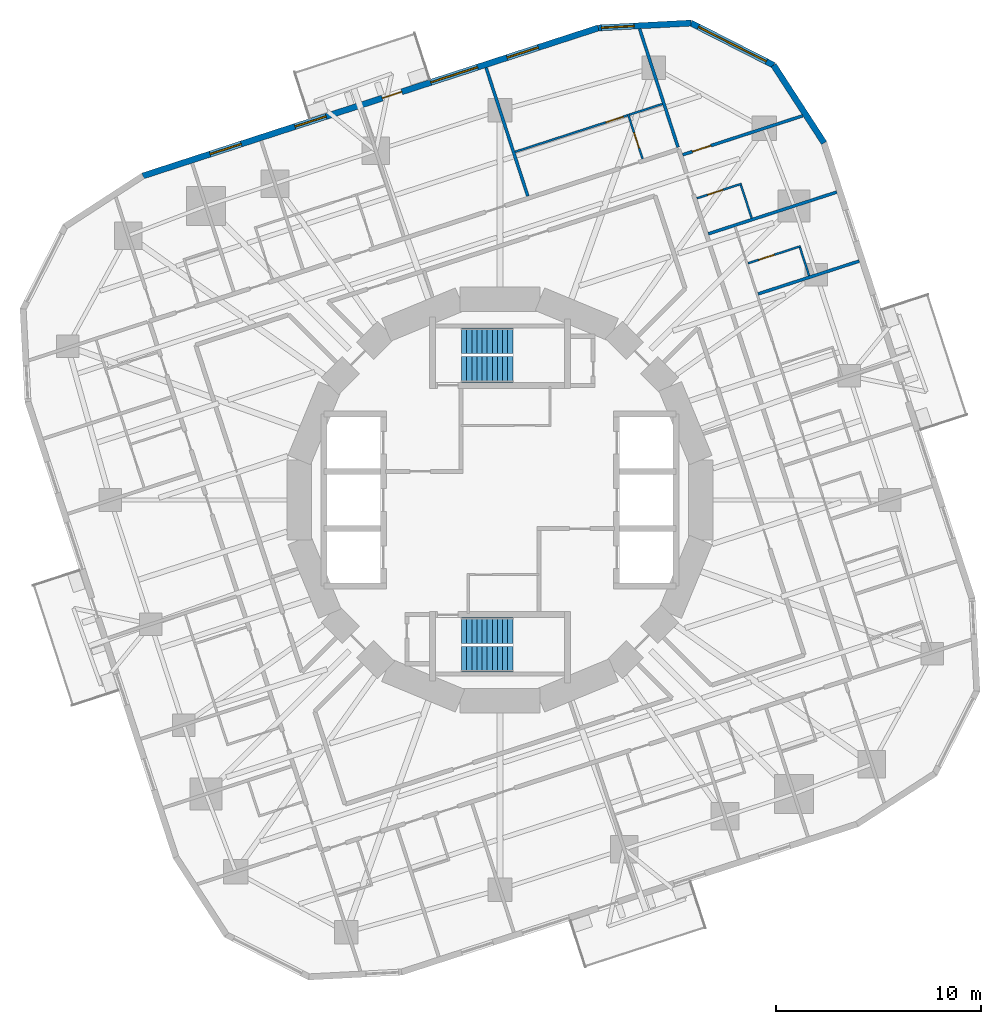
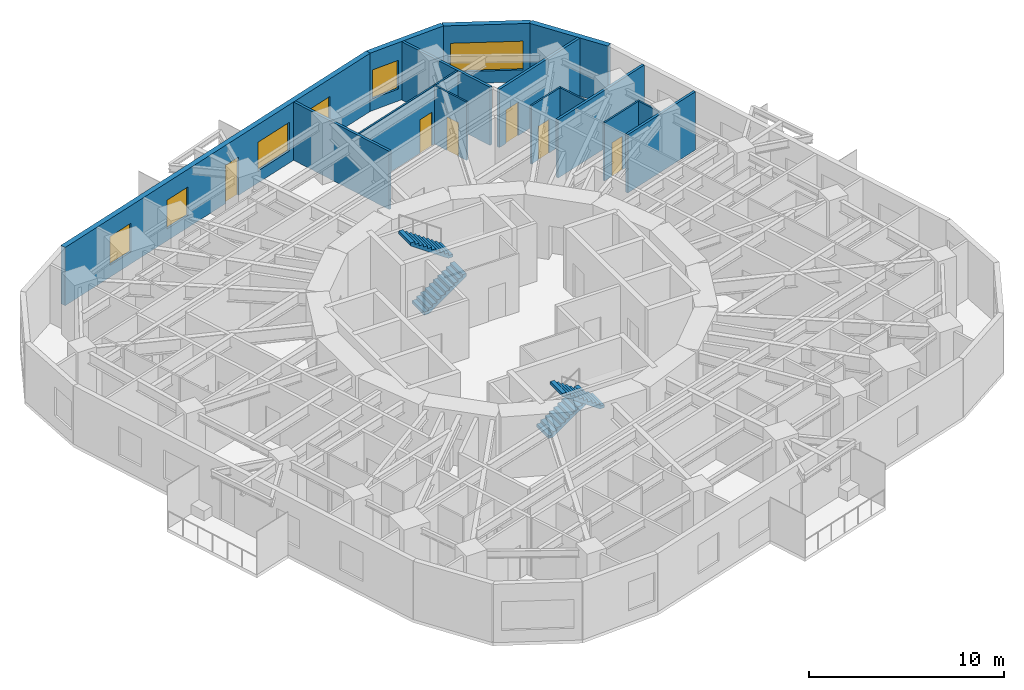
# One storey, part 10 of 12: 16 walls, 6 doors, 6 windows, 4 stair flights, 12 openings, 2 elements without a shape of their own.
"""IFC4 building model written with IfcOpenShell, lengths in metres."""

from ifc_helpers import new_model, si_unit, direction, frame, frame_2d, origin, place, context, subcontext, project, spatial, polyline, rectangle, outline, extrude, material, layer, layer_set, type_object, element, fill, aggregate, save


model = new_model("IFC4")

# Units and contexts
model_context = context("Model", 3, precision=1e-05, world=origin(), true_north=direction((0.0, 1.0)))
body_context = subcontext(model_context, "Body", "Model", "MODEL_VIEW")
ifc_project = project(units=[si_unit("LENGTHUNIT", "METRE"), si_unit("AREAUNIT", "SQUARE_METRE"), si_unit("VOLUMEUNIT", "CUBIC_METRE"), si_unit("PLANEANGLEUNIT", "RADIAN"), si_unit("MASSUNIT", "GRAM", prefix="KILO")], contexts=[model_context])

# Site, building, storey
site_placement = place(None, origin())
site = spatial("IfcSite", under=ifc_project, at=site_placement, CompositionType="ELEMENT")
building_placement = place(site_placement, origin())
building = spatial("IfcBuilding", under=site, at=building_placement, Name="Nakasero Lantern House", CompositionType="ELEMENT")
storey_placement = place(building_placement, frame((0.0, 0.0, 145.64990234375)))
storey = spatial("IfcBuildingStorey", under=building, at=storey_placement, Name="L35", CompositionType="ELEMENT", Elevation=145.64990234375)

# Wall, opening, door
ifc_material_1 = material(Name="Blockwork", Category="masonry")
ifc_layer_1 = layer(ifc_material_1, 0.10009765625)
ifc_layer_set_1 = layer_set([ifc_layer_1], Name="En-suite wall 100")
wall_type_1 = type_object("IfcWallType", Name="En-suite wall 100", PredefinedType="PARTITIONING", material=ifc_layer_set_1)
wall_1_placement = place(storey_placement, frame((12.11962890625, 11.564208984375, 0.0), z_axis=(0.0, 0.0, 1.0), x_axis=(0.951043371037, 0.309057448393, 0.0)))
wall_1 = element("IfcWall", 1, at=wall_1_placement, inside=storey, type_object=wall_type_1, Name="En-suite wall L35 ES0-05", PredefinedType="PARTITIONING", context=body_context, shape_type="SweptSolid", body=[
    extrude(rectangle(XDim=2.699951171875, YDim=0.10009765625, at=frame_2d((1.35009765625, 0.0))), origin(), (0.0, 0.0, 1.0), 3.650146484375),
])
opening_1_placement = place(wall_1_placement, frame((0.550048828125, 0.0, 0.0)))
opening_1 = element("IfcOpeningElement", 2, at=opening_1_placement, cuts=wall_1, Name="Opening D02", PredefinedType="OPENING", context=body_context, shape_type="SweptSolid", body=[
    extrude(rectangle(XDim=0.800048828125, YDim=2.10009765625, at=frame_2d((0.39990234375, 1.050048828125))), frame((0.0, 0.070068359375, 0.0), z_axis=(0.0, -1.0, 0.0), x_axis=(1.0, 0.0, 0.0)), (0.0, 0.0, 1.0), 0.14013671875),
])
ifc_material_2 = material(Name="Timber C24", Category="wood")
door_type_1 = type_object("IfcDoorType", Name="En-suite door 800", OperationType="SINGLE_SWING_RIGHT", PredefinedType="DOOR", material=ifc_material_2)
door_1_placement = place(opening_1_placement, origin())
door_1 = element("IfcDoor", 3, at=door_1_placement, inside=storey, type_object=door_type_1, Name="Door L35 DE0-05", OperationType="SINGLE_SWING_LEFT", OverallHeight=2.10009765625, OverallWidth=0.800048828125, PredefinedType="DOOR", context=body_context, shape_type="SweptSolid", body=[
    extrude(rectangle(XDim=0.800048828125, YDim=2.10009765625, at=frame_2d((0.39990234375, 1.050048828125))), frame((0.0, 0.02490234375, 0.0), z_axis=(0.0, -1.0, 0.0), x_axis=(1.0, 0.0, 0.0)), (0.0, 0.0, 1.0), 0.050048828125),
])
fill(opening_1, door_1)

# Wall
wall_2_placement = place(storey_placement, frame((15.103515625, 10.95654296875, 0.0), z_axis=(0.0, 0.0, 1.0), x_axis=(-0.309097492581, 0.951030357076, 0.0)))
element("IfcWall", 4, at=wall_2_placement, inside=storey, type_object=wall_type_1, Name="En-suite wall L35 EE0-05", PredefinedType="PARTITIONING", context=body_context, shape_type="SweptSolid", body=[
    extrude(rectangle(XDim=1.4501953125, YDim=0.10009765625, at=frame_2d((0.72509765625, 0.0))), origin(), (0.0, 0.0, 1.0), 3.650146484375),
])

# Wall, opening, door
wall_3_placement = place(storey_placement, frame((9.61572265625, 14.740234375, 0.0), z_axis=(0.0, 0.0, 1.0), x_axis=(0.951055129775, 0.309021261611, 0.0)))
wall_3 = element("IfcWall", 5, at=wall_3_placement, inside=storey, type_object=wall_type_1, Name="En-suite wall L35 ES0-06", PredefinedType="PARTITIONING", context=body_context, shape_type="SweptSolid", body=[
    extrude(rectangle(XDim=2.2998046875, YDim=0.10009765625, at=frame_2d((1.14990234375, 0.0))), origin(), (0.0, 0.0, 1.0), 3.650146484375),
])
opening_2_placement = place(wall_3_placement, frame((0.550048828125, 0.0, 0.0)))
opening_2 = element("IfcOpeningElement", 6, at=opening_2_placement, cuts=wall_3, Name="Opening D02", PredefinedType="OPENING", context=body_context, shape_type="SweptSolid", body=[
    extrude(rectangle(XDim=0.800048828125, YDim=2.10009765625, at=frame_2d((0.39990234375, 1.050048828125))), frame((0.0, 0.070068359375, 0.0), z_axis=(0.0, -1.0, 0.0), x_axis=(1.0, 0.0, 0.0)), (0.0, 0.0, 1.0), 0.14013671875),
])
door_2_placement = place(opening_2_placement, origin())
door_2 = element("IfcDoor", 7, at=door_2_placement, inside=storey, type_object=door_type_1, Name="Door L35 DE0-06", OperationType="SINGLE_SWING_LEFT", OverallHeight=2.10009765625, OverallWidth=0.800048828125, PredefinedType="DOOR", context=body_context, shape_type="SweptSolid", body=[
    extrude(rectangle(XDim=0.800048828125, YDim=2.10009765625, at=frame_2d((0.39990234375, 1.050048828125))), frame((0.0, 0.02490234375, 0.0), z_axis=(0.0, -1.0, 0.0), x_axis=(1.0, 0.0, 0.0)), (0.0, 0.0, 1.0), 0.050048828125),
])
fill(opening_2, door_2)

# Wall
wall_4_placement = place(storey_placement, frame((12.29638671875, 13.771240234375, 0.0), z_axis=(0.0, 0.0, 1.0), x_axis=(-0.309066587596, 0.951040401051, 0.0)))
element("IfcWall", 8, at=wall_4_placement, inside=storey, type_object=wall_type_1, Name="En-suite wall L35 EE0-06", PredefinedType="PARTITIONING", context=body_context, shape_type="SweptSolid", body=[
    extrude(rectangle(XDim=1.699951171875, YDim=0.10009765625, at=frame_2d((0.85009765625, 0.0))), origin(), (0.0, 0.0, 1.0), 3.650146484375),
])

# Wall, opening, door
wall_5_placement = place(storey_placement, frame((6.965087890625, 16.668212890625, 0.0), z_axis=(0.0, 0.0, 1.0), x_axis=(-0.309021261611, 0.951055129775, 0.0)))
wall_5 = element("IfcWall", 9, at=wall_5_placement, inside=storey, type_object=wall_type_1, Name="En-suite wall L35 ES1-00", PredefinedType="PARTITIONING", context=body_context, shape_type="SweptSolid", body=[
    extrude(rectangle(XDim=2.2998046875, YDim=0.10009765625, at=frame_2d((1.14990234375, 0.0))), origin(), (0.0, 0.0, 1.0), 3.650146484375),
])
opening_3_placement = place(wall_5_placement, frame((0.550048828125, 0.0, 0.0)))
opening_3 = element("IfcOpeningElement", 10, at=opening_3_placement, cuts=wall_5, Name="Opening D02", PredefinedType="OPENING", context=body_context, shape_type="SweptSolid", body=[
    extrude(rectangle(XDim=0.800048828125, YDim=2.10009765625, at=frame_2d((0.39990234375, 1.050048828125))), frame((0.0, 0.070068359375, 0.0), z_axis=(0.0, -1.0, 0.0), x_axis=(1.0, 0.0, 0.0)), (0.0, 0.0, 1.0), 0.14013671875),
])
door_3_placement = place(opening_3_placement, origin())
door_3 = element("IfcDoor", 11, at=door_3_placement, inside=storey, type_object=door_type_1, Name="Door L35 DE1-00", OperationType="SINGLE_SWING_LEFT", OverallHeight=2.10009765625, OverallWidth=0.800048828125, PredefinedType="DOOR", context=body_context, shape_type="SweptSolid", body=[
    extrude(rectangle(XDim=0.800048828125, YDim=2.10009765625, at=frame_2d((0.39990234375, 1.050048828125))), frame((0.0, 0.02490234375, 0.0), z_axis=(0.0, -1.0, 0.0), x_axis=(1.0, 0.0, 0.0)), (0.0, 0.0, 1.0), 0.050048828125),
])
fill(opening_3, door_3)

# Wall
wall_6_placement = place(storey_placement, frame((7.934326171875, 19.348876953125, 0.0), z_axis=(0.0, 0.0, 1.0), x_axis=(-0.951054116971, -0.309024378638, 0.0)))
element("IfcWall", 12, at=wall_6_placement, inside=storey, type_object=wall_type_1, Name="En-suite wall L35 EE1-00", PredefinedType="PARTITIONING", context=body_context, shape_type="SweptSolid", body=[
    extrude(rectangle(XDim=1.7001953125, YDim=0.10009765625, at=frame_2d((0.85009765625, 0.0))), origin(), (0.0, 0.0, 1.0), 3.650146484375),
])

# Wall, opening, door
wall_7_placement = place(storey_placement, frame((6.222412109375, 18.79248046875, 0.0), z_axis=(0.0, 0.0, 1.0), x_axis=(-0.951059566465, -0.30900760676, 0.0)))
wall_7 = element("IfcWall", 13, at=wall_7_placement, inside=storey, type_object=wall_type_1, Name="En-suite wall L35 EL1-00", PredefinedType="PARTITIONING", context=body_context, shape_type="SweptSolid", body=[
    extrude(rectangle(XDim=5.76904296875, YDim=0.10009765625, at=frame_2d((2.884521484375, 0.0))), origin(), (0.0, 0.0, 1.0), 3.650146484375),
])
opening_4_placement = place(wall_7_placement, frame((0.199951171875, 0.0, 0.0)))
opening_4 = element("IfcOpeningElement", 14, at=opening_4_placement, cuts=wall_7, Name="Opening D17", PredefinedType="OPENING", context=body_context, shape_type="SweptSolid", body=[
    extrude(rectangle(XDim=0.89990234375, YDim=2.10009765625, at=frame_2d((0.449951171875, 1.050048828125))), frame((0.0, 0.070068359375, 0.0), z_axis=(0.0, -1.0, 0.0), x_axis=(1.0, 0.0, 0.0)), (0.0, 0.0, 1.0), 0.14013671875),
])
ifc_material_3 = material(Name="Timber C24", Category="wood")
door_type_2 = type_object("IfcDoorType", Name="Bedroom door FD30S 900", OperationType="SINGLE_SWING_LEFT", PredefinedType="DOOR", material=ifc_material_3)
door_4_placement = place(opening_4_placement, origin())
door_4 = element("IfcDoor", 15, at=door_4_placement, inside=storey, type_object=door_type_2, Name="Door L35 DL1-00", OperationType="SINGLE_SWING_LEFT", OverallHeight=2.10009765625, OverallWidth=0.89990234375, PredefinedType="DOOR", context=body_context, shape_type="SweptSolid", body=[
    extrude(rectangle(XDim=0.89990234375, YDim=2.10009765625, at=frame_2d((0.449951171875, 1.050048828125))), frame((0.0, 0.02490234375, 0.0), z_axis=(0.0, -1.0, 0.0), x_axis=(1.0, 0.0, 0.0)), (0.0, 0.0, 1.0), 0.050048828125),
])
fill(opening_4, door_4)

# Wall
ifc_material_4 = material(Name="Aluminium rainscreen on blockwork", Category="masonry")
ifc_layer_2 = layer(ifc_material_4, 0.300048828125)
ifc_layer_set_2 = layer_set([ifc_layer_2], Name="Facade wall 300")
wall_type_2 = type_object("IfcWallType", Name="Facade wall 300", PredefinedType="SOLIDWALL", material=ifc_layer_set_2)
wall_8_placement = place(storey_placement, frame((15.83349609375, 17.44677734375, 0.0), z_axis=(0.0, 0.0, 1.0), x_axis=(-0.544634002266, 0.838673836229, 0.0)))
element("IfcWall", 16, at=wall_8_placement, inside=storey, type_object=wall_type_2, Name="Facade wall L35 FW0C1", PredefinedType="SOLIDWALL", context=body_context, shape_type="SweptSolid", body=[
    extrude(rectangle(XDim=4.529296875, YDim=0.300048828125, at=frame_2d((2.2646484375, 0.0))), origin(), (0.0, 0.0, 1.0), 3.650146484375),
])

# Wall, opening, window
wall_9_placement = place(storey_placement, frame((13.36669921875, 21.245361328125, 0.0), z_axis=(0.0, 0.0, 1.0), x_axis=(-0.890994655705, 0.454013792196, 0.0)))
wall_9 = element("IfcWall", 17, at=wall_9_placement, inside=storey, type_object=wall_type_2, Name="Facade wall L35 FW0C2", PredefinedType="SOLIDWALL", context=body_context, shape_type="SweptSolid", body=[
    extrude(rectangle(XDim=4.529296875, YDim=0.300048828125, at=frame_2d((2.2646484375, 0.0))), origin(), (0.0, 0.0, 1.0), 3.650146484375),
])
opening_5_placement = place(wall_9_placement, frame((0.39990234375, 0.0, 0.75)))
opening_5 = element("IfcOpeningElement", 18, at=opening_5_placement, cuts=wall_9, Name="Opening W237A", PredefinedType="OPENING", context=body_context, shape_type="SweptSolid", body=[
    extrude(rectangle(XDim=3.72900390625, YDim=1.800048828125, at=frame_2d((1.864501953125, 0.89990234375))), frame((0.0, 0.169921875, 0.0), z_axis=(0.0, -1.0, 0.0), x_axis=(1.0, 0.0, 0.0)), (0.0, 0.0, 1.0), 0.340087890625),
])
ifc_material_5 = material(Name="Aluminium 6063-T6 and glass", Category="aluminium")
window_type_1 = type_object("IfcWindowType", Name="Corner window 3729x1800", PartitioningType="SINGLE_PANEL", PredefinedType="WINDOW", material=ifc_material_5)
window_1_placement = place(opening_5_placement, origin())
window_1 = element("IfcWindow", 19, at=window_1_placement, inside=storey, type_object=window_type_1, Name="Window L35 WC0", OverallHeight=1.800048828125, OverallWidth=3.72900390625, PartitioningType="SINGLE_PANEL", PredefinedType="WINDOW", context=body_context, shape_type="SweptSolid", body=[
    extrude(rectangle(XDim=3.72900390625, YDim=1.800048828125, at=frame_2d((1.864501953125, 0.89990234375))), frame((0.0, 0.030029296875, 0.0), z_axis=(0.0, -1.0, 0.0), x_axis=(1.0, 0.0, 0.0)), (0.0, 0.0, 1.0), 0.06005859375),
])
fill(opening_5, window_1)

wall_10_placement = place(storey_placement, frame((9.3310546875, 23.3017578125, 0.0), z_axis=(0.0, 0.0, 1.0), x_axis=(-0.998629419044, -0.052338164079, 0.0)))
wall_10 = element("IfcWall", 20, at=wall_10_placement, inside=storey, type_object=wall_type_2, Name="Facade wall L35 FW0C3", PredefinedType="SOLIDWALL", context=body_context, shape_type="SweptSolid", body=[
    extrude(rectangle(XDim=4.529296875, YDim=0.300048828125, at=frame_2d((2.2646484375, 0.0))), origin(), (0.0, 0.0, 1.0), 3.650146484375),
])
opening_6_placement = place(wall_10_placement, frame((2.784912109375, 0.0, 0.75)))
opening_6 = element("IfcOpeningElement", 21, at=opening_6_placement, cuts=wall_10, Name="Opening W01", PredefinedType="OPENING", context=body_context, shape_type="SweptSolid", body=[
    extrude(rectangle(XDim=1.60009765625, YDim=1.800048828125, at=frame_2d((0.800048828125, 0.89990234375))), frame((0.0, 0.169921875, 0.0), z_axis=(0.0, -1.0, 0.0), x_axis=(1.0, 0.0, 0.0)), (0.0, 0.0, 1.0), 0.340087890625),
])
ifc_material_6 = material(Name="Aluminium 6063-T6 and glass", Category="aluminium")
window_type_2 = type_object("IfcWindowType", Name="Bedroom window 1600x1800", PartitioningType="SINGLE_PANEL", PredefinedType="WINDOW", material=ifc_material_6)
window_2_placement = place(opening_6_placement, origin())
window_2 = element("IfcWindow", 22, at=window_2_placement, inside=storey, type_object=window_type_2, Name="Window L35 WN1-00", OverallHeight=1.800048828125, OverallWidth=1.60009765625, PartitioningType="SINGLE_PANEL", PredefinedType="WINDOW", context=body_context, shape_type="SweptSolid", body=[
    extrude(rectangle(XDim=1.60009765625, YDim=1.800048828125, at=frame_2d((0.800048828125, 0.89990234375))), frame((0.0, 0.030029296875, 0.0), z_axis=(0.0, -1.0, 0.0), x_axis=(1.0, 0.0, 0.0)), (0.0, 0.0, 1.0), 0.06005859375),
])
fill(opening_6, window_2)

# Wall, openings, door, windows
wall_11_placement = place(storey_placement, frame((4.807861328125, 23.064697265625, 0.0), z_axis=(0.0, 0.0, 1.0), x_axis=(-0.951053618334, -0.30902591324, 0.0)))
wall_11 = element("IfcWall", 23, at=wall_11_placement, inside=storey, type_object=wall_type_2, Name="Facade wall L35 FW1S", PredefinedType="SOLIDWALL", context=body_context, shape_type="SweptSolid", body=[
    extrude(rectangle(XDim=23.39990234375, YDim=0.300048828125, at=frame_2d((11.699951171875, 0.0))), origin(), (0.0, 0.0, 1.0), 3.650146484375),
])
opening_7_placement = place(wall_11_placement, frame((3.089111328125, 0.0, 0.75)))
opening_7 = element("IfcOpeningElement", 24, at=opening_7_placement, cuts=wall_11, Name="Opening W01", PredefinedType="OPENING", context=body_context, shape_type="SweptSolid", body=[
    extrude(rectangle(XDim=1.60009765625, YDim=1.800048828125, at=frame_2d((0.800048828125, 0.89990234375))), frame((0.0, 0.169921875, 0.0), z_axis=(0.0, -1.0, 0.0), x_axis=(1.0, 0.0, 0.0)), (0.0, 0.0, 1.0), 0.340087890625),
])
opening_8_placement = place(wall_11_placement, frame((13.987548828125, 0.0, 0.75)))
opening_8 = element("IfcOpeningElement", 25, at=opening_8_placement, cuts=wall_11, Name="Opening W01", PredefinedType="OPENING", context=body_context, shape_type="SweptSolid", body=[
    extrude(rectangle(XDim=1.60009765625, YDim=1.800048828125, at=frame_2d((0.800048828125, 0.89990234375))), frame((0.0, 0.169921875, 0.0), z_axis=(0.0, -1.0, 0.0), x_axis=(1.0, 0.0, 0.0)), (0.0, 0.0, 1.0), 0.340087890625),
])
opening_9_placement = place(wall_11_placement, frame((18.350341796875, 0.0, 0.75)))
opening_9 = element("IfcOpeningElement", 26, at=opening_9_placement, cuts=wall_11, Name="Opening W01", PredefinedType="OPENING", context=body_context, shape_type="SweptSolid", body=[
    extrude(rectangle(XDim=1.60009765625, YDim=1.800048828125, at=frame_2d((0.800048828125, 0.89990234375))), frame((0.0, 0.169921875, 0.0), z_axis=(0.0, -1.0, 0.0), x_axis=(1.0, 0.0, 0.0)), (0.0, 0.0, 1.0), 0.340087890625),
])
opening_10_placement = place(wall_11_placement, frame((6.21337890625, 0.0, 0.75)))
opening_10 = element("IfcOpeningElement", 27, at=opening_10_placement, cuts=wall_11, Name="Opening W03", PredefinedType="OPENING", context=body_context, shape_type="SweptSolid", body=[
    extrude(rectangle(XDim=2.39990234375, YDim=1.800048828125, at=frame_2d((1.199951171875, 0.89990234375))), frame((0.0, 0.169921875, 0.0), z_axis=(0.0, -1.0, 0.0), x_axis=(1.0, 0.0, 0.0)), (0.0, 0.0, 1.0), 0.340087890625),
])
opening_11_placement = place(wall_11_placement, frame((10.1025390625, 0.0, 0.0)))
opening_11 = element("IfcOpeningElement", 28, at=opening_11_placement, cuts=wall_11, Name="Opening D04", PredefinedType="OPENING", context=body_context, shape_type="SweptSolid", body=[
    extrude(rectangle(XDim=1.0, YDim=2.39990234375, at=frame_2d((0.5, 1.199951171875))), frame((0.0, 0.169921875, 0.0), z_axis=(0.0, -1.0, 0.0), x_axis=(1.0, 0.0, 0.0)), (0.0, 0.0, 1.0), 0.340087890625),
])
ifc_material_7 = material(Name="Aluminium 6063-T6 and glass", Category="aluminium")
door_type_3 = type_object("IfcDoorType", Name="Balcony door 1000x2400", OperationType="SINGLE_SWING_RIGHT", PredefinedType="DOOR", material=ifc_material_7)
door_5_placement = place(opening_11_placement, origin())
door_5 = element("IfcDoor", 29, at=door_5_placement, inside=storey, type_object=door_type_3, Name="Balcony door L35 DB1", OperationType="SINGLE_SWING_RIGHT", OverallHeight=2.39990234375, OverallWidth=1.0, PredefinedType="DOOR", context=body_context, shape_type="SweptSolid", body=[
    extrude(rectangle(XDim=1.0, YDim=2.39990234375, at=frame_2d((0.5, 1.199951171875))), frame((0.0, 0.02490234375, 0.0), z_axis=(0.0, -1.0, 0.0), x_axis=(1.0, 0.0, 0.0)), (0.0, 0.0, 1.0), 0.050048828125),
])
fill(opening_11, door_5)
window_3_placement = place(opening_7_placement, origin())
window_3 = element("IfcWindow", 30, at=window_3_placement, inside=storey, type_object=window_type_2, Name="Window L35 WN1-01", OverallHeight=1.800048828125, OverallWidth=1.60009765625, PartitioningType="SINGLE_PANEL", PredefinedType="WINDOW", context=body_context, shape_type="SweptSolid", body=[
    extrude(rectangle(XDim=1.60009765625, YDim=1.800048828125, at=frame_2d((0.800048828125, 0.89990234375))), frame((0.0, 0.030029296875, 0.0), z_axis=(0.0, -1.0, 0.0), x_axis=(1.0, 0.0, 0.0)), (0.0, 0.0, 1.0), 0.06005859375),
])
fill(opening_7, window_3)
window_4_placement = place(opening_8_placement, origin())
window_4 = element("IfcWindow", 31, at=window_4_placement, inside=storey, type_object=window_type_2, Name="Window L35 WN1-04", OverallHeight=1.800048828125, OverallWidth=1.60009765625, PartitioningType="SINGLE_PANEL", PredefinedType="WINDOW", context=body_context, shape_type="SweptSolid", body=[
    extrude(rectangle(XDim=1.60009765625, YDim=1.800048828125, at=frame_2d((0.800048828125, 0.89990234375))), frame((0.0, 0.030029296875, 0.0), z_axis=(0.0, -1.0, 0.0), x_axis=(1.0, 0.0, 0.0)), (0.0, 0.0, 1.0), 0.06005859375),
])
fill(opening_8, window_4)
window_5_placement = place(opening_9_placement, origin())
window_5 = element("IfcWindow", 32, at=window_5_placement, inside=storey, type_object=window_type_2, Name="Window L35 WN1-05", OverallHeight=1.800048828125, OverallWidth=1.60009765625, PartitioningType="SINGLE_PANEL", PredefinedType="WINDOW", context=body_context, shape_type="SweptSolid", body=[
    extrude(rectangle(XDim=1.60009765625, YDim=1.800048828125, at=frame_2d((0.800048828125, 0.89990234375))), frame((0.0, 0.030029296875, 0.0), z_axis=(0.0, -1.0, 0.0), x_axis=(1.0, 0.0, 0.0)), (0.0, 0.0, 1.0), 0.06005859375),
])
fill(opening_9, window_5)
ifc_material_8 = material(Name="Aluminium 6063-T6 and glass", Category="aluminium")
window_type_3 = type_object("IfcWindowType", Name="Lounge window 2400x1800", PartitioningType="SINGLE_PANEL", PredefinedType="WINDOW", material=ifc_material_8)
window_6_placement = place(opening_10_placement, origin())
window_6 = element("IfcWindow", 33, at=window_6_placement, inside=storey, type_object=window_type_3, Name="Window L35 WK1", OverallHeight=1.800048828125, OverallWidth=2.39990234375, PartitioningType="SINGLE_PANEL", PredefinedType="WINDOW", context=body_context, shape_type="SweptSolid", body=[
    extrude(rectangle(XDim=2.39990234375, YDim=1.800048828125, at=frame_2d((1.199951171875, 0.89990234375))), frame((0.0, 0.030029296875, 0.0), z_axis=(0.0, -1.0, 0.0), x_axis=(1.0, 0.0, 0.0)), (0.0, 0.0, 1.0), 0.06005859375),
])
fill(opening_10, window_6)

# Walls
ifc_material_9 = material(Name="Blockwork", Category="masonry")
ifc_layer_3 = layer(ifc_material_9, 0.14990234375)
ifc_layer_set_3 = layer_set([ifc_layer_3], Name="Party wall 150")
wall_type_3 = type_object("IfcWallType", Name="Party wall 150", PredefinedType="PARTITIONING", material=ifc_layer_set_3)
wall_12_placement = place(storey_placement, frame((12.606201171875, 10.06640625, 0.0), z_axis=(0.0, 0.0, 1.0), x_axis=(0.951055112834, 0.309021313752, 0.0)))
element("IfcWall", 34, at=wall_12_placement, inside=storey, type_object=wall_type_3, Name="Party wall L35 PW0-05", PredefinedType="PARTITIONING", context=body_context, shape_type="SweptSolid", body=[
    extrude(rectangle(XDim=5.2001953125, YDim=0.14990234375, at=frame_2d((2.60009765625, 0.0))), origin(), (0.0, 0.0, 1.0), 3.650146484375),
])
wall_13_placement = place(storey_placement, frame((10.1796875, 13.004638671875, 0.0), z_axis=(0.0, 0.0, 1.0), x_axis=(0.951053095941, 0.309027520945, 0.0)))
element("IfcWall", 35, at=wall_13_placement, inside=storey, type_object=wall_type_3, Name="Party wall L35 PW0-06", PredefinedType="PARTITIONING", context=body_context, shape_type="SweptSolid", body=[
    extrude(rectangle(XDim=6.599853515625, YDim=0.14990234375, at=frame_2d((3.2998046875, 0.0))), origin(), (0.0, 0.0, 1.0), 3.650146484375),
])

# Wall, opening, door
wall_14_placement = place(storey_placement, frame((8.9248046875, 16.8662109375, 0.0), z_axis=(0.0, 0.0, 1.0), x_axis=(0.951051818488, 0.309031452366, 0.0)))
wall_14 = element("IfcWall", 36, at=wall_14_placement, inside=storey, type_object=wall_type_3, Name="Party wall L35 PC0", PredefinedType="PARTITIONING", context=body_context, shape_type="SweptSolid", body=[
    extrude(rectangle(XDim=6.165283203125, YDim=0.14990234375, at=frame_2d((3.08251953125, 0.0))), origin(), (0.0, 0.0, 1.0), 3.650146484375),
])
opening_12_placement = place(wall_14_placement, frame((0.5, 0.0, 0.0)))
opening_12 = element("IfcOpeningElement", 37, at=opening_12_placement, cuts=wall_14, Name="Opening D01", PredefinedType="OPENING", context=body_context, shape_type="SweptSolid", body=[
    extrude(rectangle(XDim=0.949951171875, YDim=2.10009765625, at=frame_2d((0.47509765625, 1.050048828125))), frame((0.0, 0.094970703125, 0.0), z_axis=(0.0, -1.0, 0.0), x_axis=(1.0, 0.0, 0.0)), (0.0, 0.0, 1.0), 0.18994140625),
])
ifc_material_10 = material(Name="Timber C24", Category="wood")
door_type_4 = type_object("IfcDoorType", Name="Bedroom door FD30S 950", OperationType="SINGLE_SWING_LEFT", PredefinedType="DOOR", material=ifc_material_10)
door_6_placement = place(opening_12_placement, origin())
door_6 = element("IfcDoor", 38, at=door_6_placement, inside=storey, type_object=door_type_4, Name="Door L35 DC0", OperationType="SINGLE_SWING_LEFT", OverallHeight=2.10009765625, OverallWidth=0.949951171875, PredefinedType="DOOR", context=body_context, shape_type="SweptSolid", body=[
    extrude(rectangle(XDim=0.949951171875, YDim=2.10009765625, at=frame_2d((0.47509765625, 1.050048828125))), frame((0.0, 0.02490234375, 0.0), z_axis=(0.0, -1.0, 0.0), x_axis=(1.0, 0.0, 0.0)), (0.0, 0.0, 1.0), 0.050048828125),
])
fill(opening_12, door_6)

# Walls
wall_15_placement = place(storey_placement, frame((8.700927734375, 17.232177734375, 0.0), z_axis=(0.0, 0.0, 1.0), x_axis=(-0.309015253813, 0.951057081836, 0.0)))
element("IfcWall", 39, at=wall_15_placement, inside=storey, type_object=wall_type_3, Name="Party wall L35 PW1-00", PredefinedType="PARTITIONING", context=body_context, shape_type="SweptSolid", body=[
    extrude(rectangle(XDim=6.080322265625, YDim=0.14990234375, at=frame_2d((3.0400390625, 0.0))), origin(), (0.0, 0.0, 1.0), 3.650146484375),
])
wall_16_placement = place(storey_placement, frame((1.359619140625, 14.846923828125, 0.0), z_axis=(0.0, 0.0, 1.0), x_axis=(-0.309027520945, 0.951053095941, 0.0)))
element("IfcWall", 40, at=wall_16_placement, inside=storey, type_object=wall_type_3, Name="Party wall L35 PW1-02", PredefinedType="PARTITIONING", context=body_context, shape_type="SweptSolid", body=[
    extrude(rectangle(XDim=6.599853515625, YDim=0.14990234375, at=frame_2d((3.2998046875, 0.0))), origin(), (0.0, 0.0, 1.0), 3.650146484375),
])

# Stair, stair flights
ifc_material_11 = material(Name="Concrete C40/50", Category="concrete")
stair_type_1 = type_object("IfcStairType", Name="Escape stair ST1 22 risers", PredefinedType="HALF_TURN_STAIR", material=ifc_material_11)
stair_1_placement = place(storey_placement, origin())
stair_1 = element("IfcStair", 41, at=stair_1_placement, inside=storey, type_object=stair_type_1, Name="Escape stair ST1 L35", PredefinedType="HALF_TURN_STAIR")
ifc_material_12 = material(Name="Concrete C40/50", Category="concrete")
stair_flight_type = type_object("IfcStairFlightType", Name="Escape stair flight", PredefinedType="STRAIGHT", material=ifc_material_12)
stair_flight_1_placement = place(storey_placement, frame((-1.875, 6.375, 0.0), z_axis=(0.0, 0.0, 1.0), x_axis=(1.0, 0.0, 0.0)))
stair_flight_1 = element("IfcStairFlight", 42, at=stair_flight_1_placement, type_object=stair_flight_type, Name="ST1 flight 1", NumberOfRisers=11, NumberOfTreads=10, PredefinedType="STRAIGHT", RiserHeight=0.175, TreadLength=0.25, context=body_context, shape_type="SweptSolid", body=[
    extrude(outline(polyline([(0.0, 0.0), (0.0, 0.175048828125), (0.25, 0.175048828125), (0.25, 0.35009765625), (0.5, 0.35009765625), (0.5, 0.52490234375), (0.75, 0.52490234375), (0.75, 0.699951171875), (1.0, 0.699951171875), (1.0, 0.875), (1.25, 0.875), (1.25, 1.050048828125), (1.5, 1.050048828125), (1.5, 1.22509765625), (1.75, 1.22509765625), (1.75, 1.39990234375), (2.0, 1.39990234375), (2.0, 1.574951171875), (2.25, 1.574951171875), (2.25, 1.75), (2.5, 1.75), (2.5, 1.925048828125), (2.5, 1.567138671875), (0.261474609375, 0.0), (0.0, 0.0)])), frame((0.0, 0.625, 0.0), z_axis=(0.0, -1.0, 0.0), x_axis=(1.0, 0.0, 0.0)), (0.0, 0.0, 1.0), 1.25),
])
stair_flight_2_placement = place(storey_placement, frame((0.625, 7.77490234375, 1.925048828125), z_axis=(0.0, 0.0, 1.0), x_axis=(-1.0, 0.0, 0.0)))
stair_flight_2 = element("IfcStairFlight", 43, at=stair_flight_2_placement, type_object=stair_flight_type, Name="ST1 flight 2", NumberOfRisers=11, NumberOfTreads=10, PredefinedType="STRAIGHT", RiserHeight=0.175, TreadLength=0.25, context=body_context, shape_type="SweptSolid", body=[
    extrude(outline(polyline([(0.0, 0.0), (0.0, 0.175048828125), (0.25, 0.175048828125), (0.25, 0.35009765625), (0.5, 0.35009765625), (0.5, 0.52490234375), (0.75, 0.52490234375), (0.75, 0.699951171875), (1.0, 0.699951171875), (1.0, 0.875), (1.25, 0.875), (1.25, 1.050048828125), (1.5, 1.050048828125), (1.5, 1.22509765625), (1.75, 1.22509765625), (1.75, 1.39990234375), (2.0, 1.39990234375), (2.0, 1.574951171875), (2.25, 1.574951171875), (2.25, 1.75), (2.5, 1.75), (2.5, 1.925048828125), (2.5, 1.567138671875), (0.261474609375, 0.0), (0.0, 0.0)])), frame((0.0, 0.625, 0.0), z_axis=(0.0, -1.0, 0.0), x_axis=(1.0, 0.0, 0.0)), (0.0, 0.0, 1.0), 1.25),
])
aggregate(stair_1, [stair_flight_1, stair_flight_2])

ifc_material_13 = material(Name="Concrete C40/50", Category="concrete")
stair_type_2 = type_object("IfcStairType", Name="Escape stair ST2 22 risers", PredefinedType="HALF_TURN_STAIR", material=ifc_material_13)
stair_2_placement = place(storey_placement, origin())
stair_2 = element("IfcStair", 44, at=stair_2_placement, inside=storey, type_object=stair_type_2, Name="Escape stair ST2 L35", PredefinedType="HALF_TURN_STAIR")
stair_flight_3_placement = place(storey_placement, frame((-1.875, -6.375, 0.0), z_axis=(0.0, 0.0, 1.0), x_axis=(1.0, 0.0, 0.0)))
stair_flight_3 = element("IfcStairFlight", 45, at=stair_flight_3_placement, type_object=stair_flight_type, Name="ST2 flight 1", NumberOfRisers=11, NumberOfTreads=10, PredefinedType="STRAIGHT", RiserHeight=0.175, TreadLength=0.25, context=body_context, shape_type="SweptSolid", body=[
    extrude(outline(polyline([(0.0, 0.0), (0.0, 0.175048828125), (0.25, 0.175048828125), (0.25, 0.35009765625), (0.5, 0.35009765625), (0.5, 0.52490234375), (0.75, 0.52490234375), (0.75, 0.699951171875), (1.0, 0.699951171875), (1.0, 0.875), (1.25, 0.875), (1.25, 1.050048828125), (1.5, 1.050048828125), (1.5, 1.22509765625), (1.75, 1.22509765625), (1.75, 1.39990234375), (2.0, 1.39990234375), (2.0, 1.574951171875), (2.25, 1.574951171875), (2.25, 1.75), (2.5, 1.75), (2.5, 1.925048828125), (2.5, 1.567138671875), (0.261474609375, 0.0), (0.0, 0.0)])), frame((0.0, 0.625, 0.0), z_axis=(0.0, -1.0, 0.0), x_axis=(1.0, 0.0, 0.0)), (0.0, 0.0, 1.0), 1.25),
])
stair_flight_4_placement = place(storey_placement, frame((0.625, -7.77490234375, 1.925048828125), z_axis=(0.0, 0.0, 1.0), x_axis=(-1.0, 0.0, 0.0)))
stair_flight_4 = element("IfcStairFlight", 46, at=stair_flight_4_placement, type_object=stair_flight_type, Name="ST2 flight 2", NumberOfRisers=11, NumberOfTreads=10, PredefinedType="STRAIGHT", RiserHeight=0.175, TreadLength=0.25, context=body_context, shape_type="SweptSolid", body=[
    extrude(outline(polyline([(0.0, 0.0), (0.0, 0.175048828125), (0.25, 0.175048828125), (0.25, 0.35009765625), (0.5, 0.35009765625), (0.5, 0.52490234375), (0.75, 0.52490234375), (0.75, 0.699951171875), (1.0, 0.699951171875), (1.0, 0.875), (1.25, 0.875), (1.25, 1.050048828125), (1.5, 1.050048828125), (1.5, 1.22509765625), (1.75, 1.22509765625), (1.75, 1.39990234375), (2.0, 1.39990234375), (2.0, 1.574951171875), (2.25, 1.574951171875), (2.25, 1.75), (2.5, 1.75), (2.5, 1.925048828125), (2.5, 1.567138671875), (0.261474609375, 0.0), (0.0, 0.0)])), frame((0.0, 0.625, 0.0), z_axis=(0.0, -1.0, 0.0), x_axis=(1.0, 0.0, 0.0)), (0.0, 0.0, 1.0), 1.25),
])
aggregate(stair_2, [stair_flight_3, stair_flight_4])

save(model, "model.ifc")
